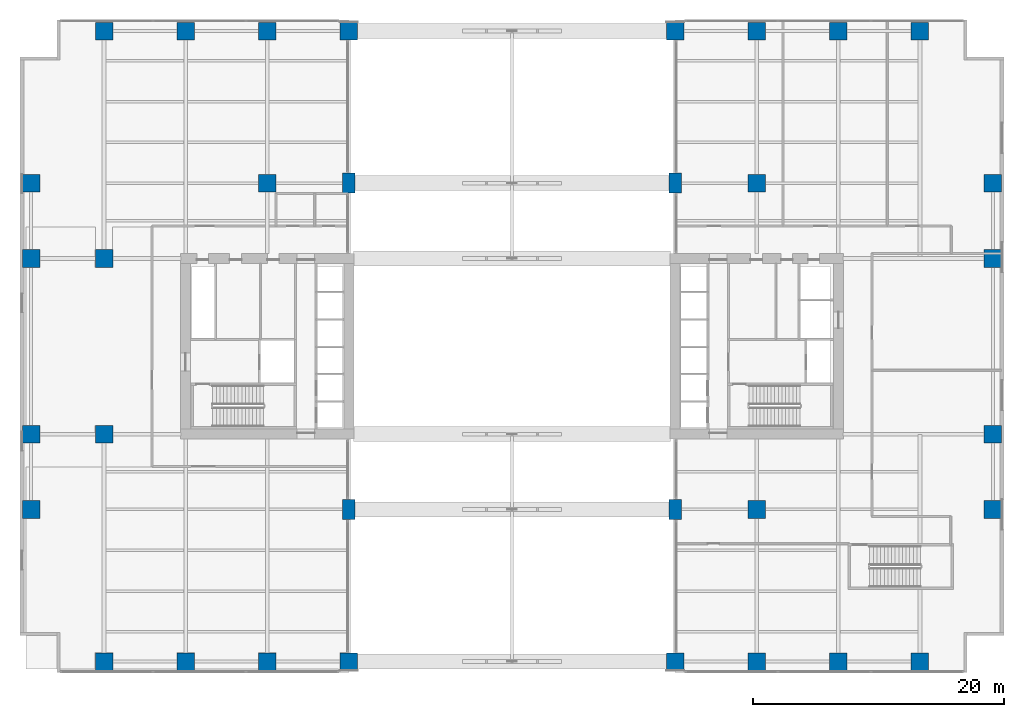
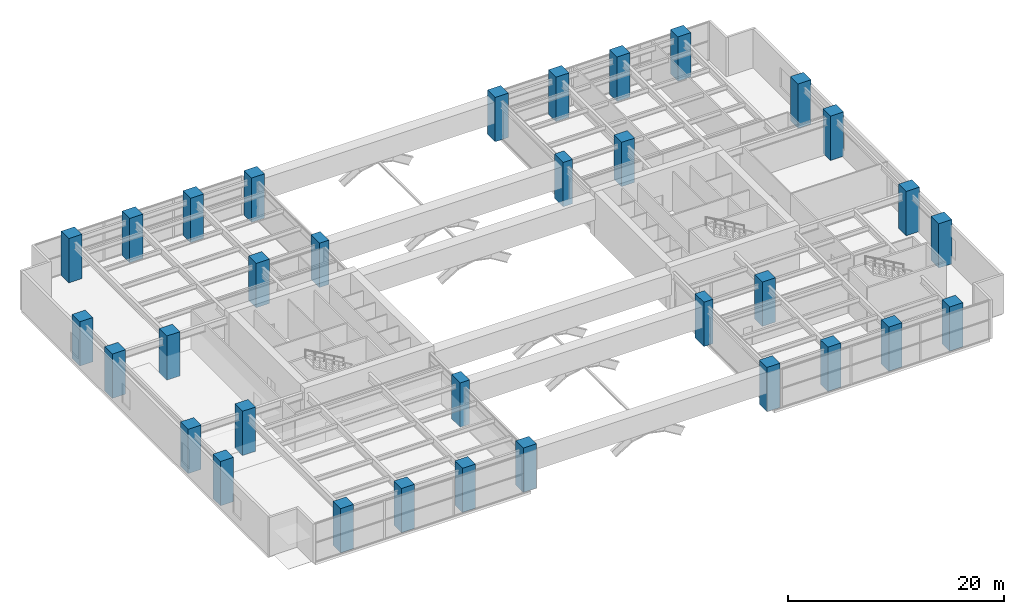
# One storey, part 1 of 23: 33 columns.
"""IFC4 building model written with IfcOpenShell, lengths in metres."""

from ifc_helpers import new_model, si_unit, direction, frame, origin, origin_2d, place, context, subcontext, project, spatial, rectangle, extrude, material, material_profile, profile_set, type_object, element, save


model = new_model("IFC4")

# Units and contexts
model_context = context("Model", 3, precision=1e-05, world=origin(), true_north=direction((0.0, 1.0)))
body_context = subcontext(model_context, "Body", "Model", "MODEL_VIEW")
ifc_project = project(units=[si_unit("LENGTHUNIT", "METRE"), si_unit("AREAUNIT", "SQUARE_METRE"), si_unit("VOLUMEUNIT", "CUBIC_METRE"), si_unit("PLANEANGLEUNIT", "RADIAN"), si_unit("MASSUNIT", "GRAM", prefix="KILO")], contexts=[model_context])

# Site, building, storey
site_placement = place(None, origin())
site = spatial("IfcSite", under=ifc_project, at=site_placement, CompositionType="ELEMENT")
building_placement = place(site_placement, origin())
building = spatial("IfcBuilding", under=site, at=building_placement, Name="Putna Gate Headquarters", CompositionType="ELEMENT")
storey_placement = place(building_placement, frame((0.0, 0.0, 17.0)))
storey = spatial("IfcBuildingStorey", under=building, at=storey_placement, Name="L03", CompositionType="ELEMENT", Elevation=17.0)

# Columns
ifc_material = material(Name="Concrete C60/75", Category="concrete")
ifc_material_profile_1 = material_profile(ifc_material, rectangle(XDim=1.0, YDim=1.60009765625, at=origin_2d()), Name="Concrete C60/75")
ifc_profile_set_1 = profile_set([ifc_material_profile_1], Name="Concrete C60/75")
column_type_1 = type_object("IfcColumnType", Name="COL-PILASTER-1600", PredefinedType="PILASTER", material=ifc_profile_set_1)
for number, where, z_axis, x_axis, name in (
    (1, (26.0, 13.0, 0.0), (0.0, 0.0, 1.0), (1.0, 0.0, 0.0), "L03 Column CAP-WS"),
    (2, (26.0, 39.0, 0.0), (0.0, 0.0, 1.0), (1.0, 0.0, 0.0), "L03 Column CAP-WN"),
    (3, (52.0, 13.0, 0.0), (0.0, 0.0, 1.0), (1.0, 0.0, 0.0), "L03 Column CAP-ES"),
    (4, (52.0, 39.0, 0.0), (0.0, 0.0, 1.0), (1.0, 0.0, 0.0), "L03 Column CAP-EN"),
):
    element("IfcColumn", number, at=place(storey_placement, frame(where, z_axis=z_axis, x_axis=x_axis)), inside=storey, type_object=column_type_1, Name=name, PredefinedType="PILASTER", context=body_context, shape_type="SweptSolid", body=[
        extrude(rectangle(XDim=1.0, YDim=1.60009765625, at=origin_2d()), origin(), (0.0, 0.0, 1.0), 5.0),
    ])
ifc_material_profile_2 = material_profile(ifc_material, rectangle(XDim=1.39990234375, YDim=1.39990234375, at=origin_2d()), Name="Concrete C60/75")
ifc_profile_set_2 = profile_set([ifc_material_profile_2], Name="Concrete C60/75")
column_type_2 = type_object("IfcColumnType", Name="COL-RC1400-EXT", PredefinedType="COLUMN", material=ifc_profile_set_2)
for number, where, z_axis, x_axis, name in (
    (5, (6.5, 0.8798828125, 0.0), (0.0, 0.0, 1.0), (1.0, 0.0, 0.0), "L03 Column CP-S6"),
    (6, (6.5, 51.1201171875, 0.0), (0.0, 0.0, 1.0), (1.0, 0.0, 0.0), "L03 Column CP-N6"),
    (7, (13.0, 0.8798828125, 0.0), (0.0, 0.0, 1.0), (1.0, 0.0, 0.0), "L03 Column CP-S13"),
    (8, (13.0, 51.1201171875, 0.0), (0.0, 0.0, 1.0), (1.0, 0.0, 0.0), "L03 Column CP-N13"),
    (9, (19.5, 0.8798828125, 0.0), (0.0, 0.0, 1.0), (1.0, 0.0, 0.0), "L03 Column CP-S19"),
    (10, (19.5, 51.1201171875, 0.0), (0.0, 0.0, 1.0), (1.0, 0.0, 0.0), "L03 Column CP-N19"),
    (11, (26.0, 0.8798828125, 0.0), (0.0, 0.0, 1.0), (1.0, 0.0, 0.0), "L03 Column CP-S26"),
    (12, (26.0, 51.1201171875, 0.0), (0.0, 0.0, 1.0), (1.0, 0.0, 0.0), "L03 Column CP-N26"),
    (13, (52.0, 0.8798828125, 0.0), (0.0, 0.0, 1.0), (1.0, 0.0, 0.0), "L03 Column CP-S52"),
    (14, (52.0, 51.1201171875, 0.0), (0.0, 0.0, 1.0), (1.0, 0.0, 0.0), "L03 Column CP-N52"),
    (15, (58.5, 0.8798828125, 0.0), (0.0, 0.0, 1.0), (1.0, 0.0, 0.0), "L03 Column CP-S58"),
    (16, (58.5, 51.1201171875, 0.0), (0.0, 0.0, 1.0), (1.0, 0.0, 0.0), "L03 Column CP-N58"),
    (17, (65.0, 0.8798828125, 0.0), (0.0, 0.0, 1.0), (1.0, 0.0, 0.0), "L03 Column CP-S65"),
    (18, (65.0, 51.1201171875, 0.0), (0.0, 0.0, 1.0), (1.0, 0.0, 0.0), "L03 Column CP-N65"),
    (19, (71.5, 0.8798828125, 0.0), (0.0, 0.0, 1.0), (1.0, 0.0, 0.0), "L03 Column CP-S71"),
    (20, (71.5, 51.1201171875, 0.0), (0.0, 0.0, 1.0), (1.0, 0.0, 0.0), "L03 Column CP-N71"),
    (21, (0.679931640625, 13.0, 0.0), (0.0, 0.0, 1.0), (1.0, 0.0, 0.0), "L03 Column CP-W13"),
    (22, (77.320068359375, 13.0, 0.0), (0.0, 0.0, 1.0), (1.0, 0.0, 0.0), "L03 Column CP-E13"),
    (23, (0.679931640625, 19.0, 0.0), (0.0, 0.0, 1.0), (1.0, 0.0, 0.0), "L03 Column CP-W19"),
    (24, (77.320068359375, 19.0, 0.0), (0.0, 0.0, 1.0), (1.0, 0.0, 0.0), "L03 Column CP-E19"),
    (25, (0.679931640625, 33.0, 0.0), (0.0, 0.0, 1.0), (1.0, 0.0, 0.0), "L03 Column CP-W33"),
    (26, (77.320068359375, 33.0, 0.0), (0.0, 0.0, 1.0), (1.0, 0.0, 0.0), "L03 Column CP-E33"),
    (27, (0.679931640625, 39.0, 0.0), (0.0, 0.0, 1.0), (1.0, 0.0, 0.0), "L03 Column CP-W39"),
    (28, (77.320068359375, 39.0, 0.0), (0.0, 0.0, 1.0), (1.0, 0.0, 0.0), "L03 Column CP-E39"),
):
    element("IfcColumn", number, at=place(storey_placement, frame(where, z_axis=z_axis, x_axis=x_axis)), inside=storey, type_object=column_type_2, Name=name, PredefinedType="COLUMN", context=body_context, shape_type="SweptSolid", body=[
        extrude(rectangle(XDim=1.39990234375, YDim=1.39990234375, at=origin_2d()), origin(), (0.0, 0.0, 1.0), 5.0),
    ])
ifc_material_profile_3 = material_profile(ifc_material, rectangle(XDim=1.39990234375, YDim=1.39990234375, at=origin_2d()), Name="Concrete C60/75")
ifc_profile_set_3 = profile_set([ifc_material_profile_3], Name="Concrete C60/75")
column_type_3 = type_object("IfcColumnType", Name="COL-RC1400-INT", PredefinedType="COLUMN", material=ifc_profile_set_3)
for number, where, z_axis, x_axis, name in (
    (29, (19.5, 39.0, 0.0), (0.0, 0.0, 1.0), (1.0, 0.0, 0.0), "L03 Column CSI-WN"),
    (30, (58.5, 13.0, 0.0), (0.0, 0.0, 1.0), (1.0, 0.0, 0.0), "L03 Column CSI-ES"),
    (31, (58.5, 39.0, 0.0), (0.0, 0.0, 1.0), (1.0, 0.0, 0.0), "L03 Column CSI-EN"),
    (32, (6.5, 19.0, 0.0), (0.0, 0.0, 1.0), (1.0, 0.0, 0.0), "L03 Column CSI-WM"),
    (33, (6.5, 33.0, 0.0), (0.0, 0.0, 1.0), (1.0, 0.0, 0.0), "L03 Column CSI-WNW"),
):
    element("IfcColumn", number, at=place(storey_placement, frame(where, z_axis=z_axis, x_axis=x_axis)), inside=storey, type_object=column_type_3, Name=name, PredefinedType="COLUMN", context=body_context, shape_type="SweptSolid", body=[
        extrude(rectangle(XDim=1.39990234375, YDim=1.39990234375, at=origin_2d()), origin(), (0.0, 0.0, 1.0), 5.0),
    ])

save(model, "model.ifc")
